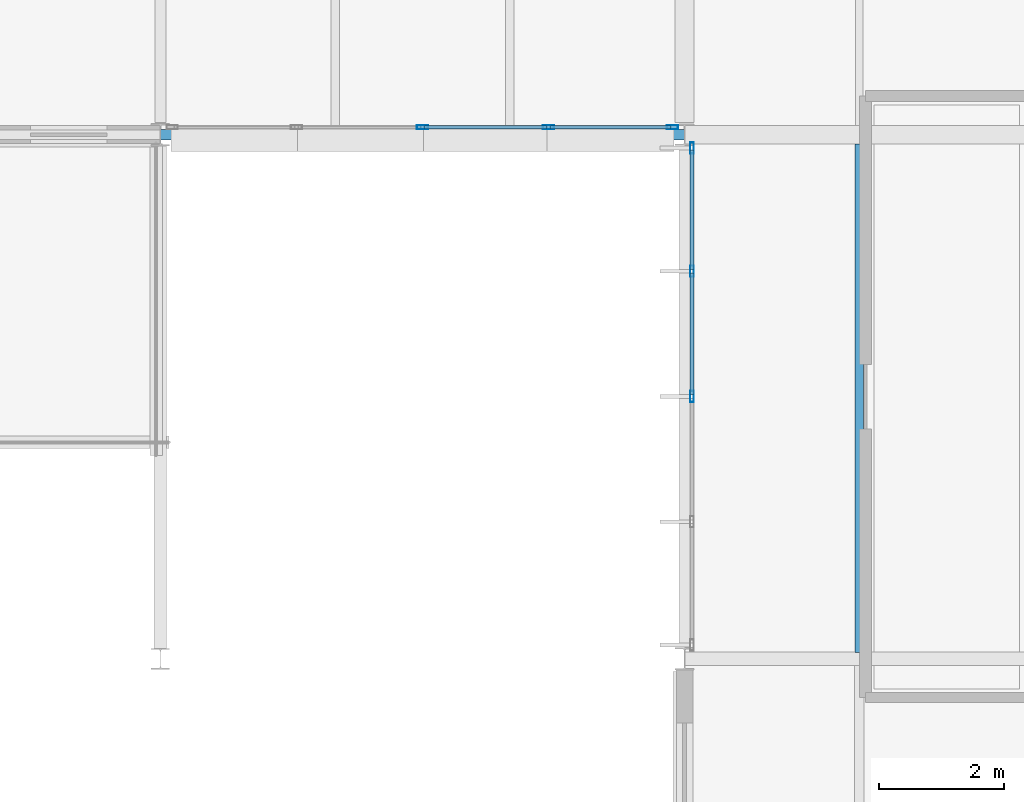
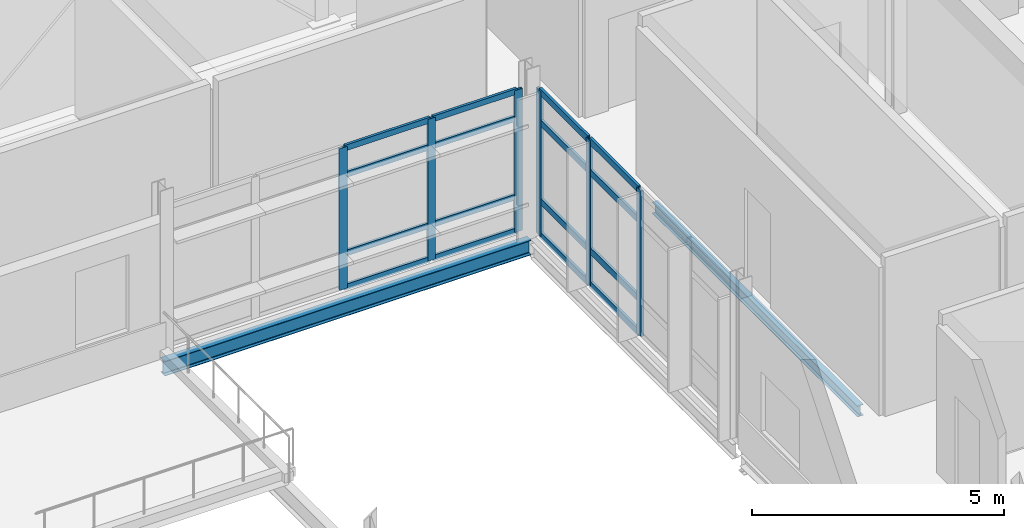
# One storey, part 33 of 57: 22 members, 2 beams, 2 elements without a shape of their own.
"""IFC4 building model written with IfcOpenShell, lengths in metres."""

import ifcopenshell
import ifcopenshell.guid

model = None  # the IFC model being written
_history = None  # IfcOwnerHistory: only IFC2X3 demands one
_inside = {}  # id of a spatial element -> (the spatial element, [elements in it])
_under = {}  # id of a project, library or spatial element -> (it, [spatial elements below it])
_declared = {}  # id of a project -> (the project, [libraries it declares])
_typed = {}  # id of a type object -> (the type object, [elements of that type])
_made_of = {}  # id of a material, layer set ... -> (it, [elements and type objects made of it])


def new_model(schema):
    """Start an empty IFC model of exactly this schema.

    Asked for "IFC4X3", IfcOpenShell would pick the latest addendum, in which some entities
    have other attributes; the version numbers below select the first issue.
    IFC2X3 requires an IfcOwnerHistory on every rooted entity: one is made here for all.
    """
    global model, _history
    if schema == "IFC4X3":
        model = ifcopenshell.file(schema_version=(4, 3, 0, 0))
    else:
        model = ifcopenshell.file(schema=schema)
    _inside.clear()
    _under.clear()
    _declared.clear()
    _typed.clear()
    _made_of.clear()
    _history = None
    if model.schema == "IFC2X3":
        org = make("IfcOrganization", Name="unknown")
        user = make(
            "IfcPersonAndOrganization",
            ThePerson=make("IfcPerson", FamilyName="unknown"),
            TheOrganization=org,
        )
        app = make(
            "IfcApplication",
            ApplicationDeveloper=org,
            Version="unknown",
            ApplicationFullName="unknown",
            ApplicationIdentifier="unknown",
        )
        _history = make(
            "IfcOwnerHistory",
            OwningUser=user,
            OwningApplication=app,
            ChangeAction="ADDED",
            CreationDate=0,
        )
    return model


def make(cls, **values):
    """One entity of the class cls with the attributes given. An attribute that is None is left unset."""
    return model.create_entity(
        cls, **{name: value for name, value in values.items() if value is not None}
    )


def rooted(cls, **values):
    """An entity with a GlobalId (a new one), such as an element, a storey or a relation."""
    return make(cls, GlobalId=ifcopenshell.guid.new(), OwnerHistory=_history, **values)


def si_unit(unit_type, name, prefix=None):
    """IfcSIUnit, for example si_unit("LENGTHUNIT", "METRE", prefix="MILLI")."""
    return make("IfcSIUnit", UnitType=unit_type, Prefix=prefix, Name=name)


def assignment(units):
    """IfcUnitAssignment: the units of a project."""
    return None if units is None else make("IfcUnitAssignment", Units=units)


def point(xyz):
    """IfcCartesianPoint."""
    return None if xyz is None else make("IfcCartesianPoint", Coordinates=xyz)


def direction(xyz):
    """IfcDirection."""
    return None if xyz is None else make("IfcDirection", DirectionRatios=xyz)


def frame(location, z_axis=None, x_axis=None):
    """IfcAxis2Placement3D, a coordinate frame: its origin and axes. An axis left out is left unset."""
    return make(
        "IfcAxis2Placement3D",
        Location=point(location),
        Axis=direction(z_axis),
        RefDirection=direction(x_axis),
    )


def frame_2d(location, x_axis=None):
    """IfcAxis2Placement2D, a coordinate frame in the plane: its origin and x axis."""
    return make(
        "IfcAxis2Placement2D", Location=point(location), RefDirection=direction(x_axis)
    )


def origin():
    """The frame at (0, 0, 0) with its axes left unset."""
    return frame((0.0, 0.0, 0.0))


def origin_2d():
    """The frame at (0, 0) in the plane with its x axis left unset."""
    return frame_2d((0.0, 0.0))


def place(relative_to, where):
    """IfcLocalPlacement: puts the frame where relative to a parent placement (None: the world)."""
    return make(
        "IfcLocalPlacement", PlacementRelTo=relative_to, RelativePlacement=where
    )


def context(
    kind, dimensions, precision=None, world=None, true_north=None, identifier=None
):
    """IfcGeometricRepresentationContext, for example the 3D "Model" context."""
    return make(
        "IfcGeometricRepresentationContext",
        ContextIdentifier=identifier,
        ContextType=kind,
        CoordinateSpaceDimension=dimensions,
        Precision=precision,
        WorldCoordinateSystem=world,
        TrueNorth=true_north,
    )


def subcontext(parent, identifier, kind, view, scale=None):
    """IfcGeometricRepresentationSubContext, for example "Body" below "Model"."""
    return make(
        "IfcGeometricRepresentationSubContext",
        ContextIdentifier=identifier,
        ContextType=kind,
        ParentContext=parent,
        TargetScale=scale,
        TargetView=view,
    )


def project(units=None, contexts=None):
    """IfcProject with its units and contexts."""
    return rooted(
        "IfcProject",
        Name="project",
        RepresentationContexts=contexts,
        UnitsInContext=assignment(units),
    )


def spatial(cls, under=None, at=None, **own):
    """A site, building, storey or space (cls), placed at a placement, below another one or the project."""
    s = rooted(cls, ObjectPlacement=at, **own)
    if under is not None:
        _under.setdefault(under.id(), (under, []))[1].append(s)
    return s


def profile(cls, at=None, kind="AREA", **sizes):
    """A parametric profile (cls). Its sizes go by their IFC names, for example OverallWidth=200.0."""
    return make(cls, ProfileType=kind, Position=at, **sizes)


def hollow_rectangle(**sizes):
    """IfcRectangleHollowProfileDef."""
    return profile("IfcRectangleHollowProfileDef", **sizes)


def i_section(**sizes):
    """IfcIShapeProfileDef."""
    return profile("IfcIShapeProfileDef", **sizes)


def extrude(swept, where, along, depth):
    """IfcExtrudedAreaSolid: the profile swept, set in the frame where, extruded along a direction by depth."""
    return make(
        "IfcExtrudedAreaSolid",
        SweptArea=swept,
        Position=where,
        ExtrudedDirection=direction(along),
        Depth=depth,
    )


def shape(context_of_items, identifier, shape_type, items):
    """IfcShapeRepresentation: the items that make up one representation, for example the "Body"."""
    return make(
        "IfcShapeRepresentation",
        ContextOfItems=context_of_items,
        RepresentationIdentifier=identifier,
        RepresentationType=shape_type,
        Items=items,
    )


def material(Name=None, Category=None):
    """IfcMaterial."""
    return make("IfcMaterial", Name=Name, Category=Category)


def material_profile(
    of_material, cross_section, Name=None, Category=None, Priority=None
):
    """IfcMaterialProfile: a cross section and its material."""
    return make(
        "IfcMaterialProfile",
        Name=Name,
        Material=of_material,
        Profile=cross_section,
        Priority=Priority,
        Category=Category,
    )


def profile_set(profiles, Name=None, composite=None):
    """IfcMaterialProfileSet."""
    return make(
        "IfcMaterialProfileSet",
        Name=Name,
        MaterialProfiles=profiles,
        CompositeProfile=composite,
    )


def made_of(thing, what):
    """Note that an element or type object is made of a material, layer set ...; save() writes the relation."""
    if what is not None:
        _made_of.setdefault(what.id(), (what, []))[1].append(thing)
    return thing


def type_object(cls, material=None, **own):
    """A type object (cls), such as IfcWallType, which elements share."""
    return made_of(rooted(cls, **own), material)


def element(
    cls,
    number,
    at=None,
    inside=None,
    cuts=None,
    type_object=None,
    material=None,
    context=None,
    identifier="Body",
    shape_type=None,
    held_by="IfcProductDefinitionShape",
    body=None,
    shapes=None,
    **own,
):
    """One element of the class cls, such as IfcWall. Its Tag is "e" and its number.

    at: its placement. inside: the storey or other place that contains it. cuts: it is an
    opening in that element (IfcRelVoidsElement). A single representation is given by context,
    identifier, shape_type and body (its items); several are given by shapes. held_by: the class
    of the entity that holds the representations. save() writes the other relations.
    """
    e = rooted(cls, Tag="e%d" % number, ObjectPlacement=at, **own)
    if body is not None:
        shapes = [shape(context, identifier, shape_type, body)]
    if shapes is not None:
        e.Representation = make(held_by, Representations=shapes)
    if inside is not None:
        _inside.setdefault(inside.id(), (inside, []))[1].append(e)
    if cuts is not None:
        rooted(
            "IfcRelVoidsElement", RelatingBuildingElement=cuts, RelatedOpeningElement=e
        )
    if type_object is not None:
        _typed.setdefault(type_object.id(), (type_object, []))[1].append(e)
    return made_of(e, material)


def aggregate(whole, parts):
    """IfcRelAggregates: a whole, such as a stair, and the parts it consists of."""
    return rooted("IfcRelAggregates", RelatingObject=whole, RelatedObjects=parts)


def save(model, path):
    """Write the relations noted so far, then the file.

    IfcRelAggregates (storeys below a building ...), IfcRelContainedInSpatialStructure (elements
    in a storey), IfcRelDefinesByType, IfcRelAssociatesMaterial and IfcRelDeclares: one each for
    every whole, place, type object, material and project.
    """
    for whole, parts in _under.values():
        aggregate(whole, parts)
    for where, things in _inside.values():
        rooted(
            "IfcRelContainedInSpatialStructure",
            RelatedElements=things,
            RelatingStructure=where,
        )
    for kind, things in _typed.values():
        rooted("IfcRelDefinesByType", RelatedObjects=things, RelatingType=kind)
    for what, things in _made_of.values():
        rooted("IfcRelAssociatesMaterial", RelatedObjects=things, RelatingMaterial=what)
    for by, libraries in _declared.values():
        rooted("IfcRelDeclares", RelatingContext=by, RelatedDefinitions=libraries)
    model.write(path)


model = new_model("IFC4")

# Units and contexts
model_context = context("Model", 3, precision=1e-05, world=origin(), true_north=direction((0.0, 1.0)))
body_context = subcontext(model_context, "Body", "Model", "MODEL_VIEW")
ifc_project = project(units=[si_unit("LENGTHUNIT", "METRE"), si_unit("AREAUNIT", "SQUARE_METRE"), si_unit("VOLUMEUNIT", "CUBIC_METRE"), si_unit("PLANEANGLEUNIT", "RADIAN"), si_unit("MASSUNIT", "GRAM", prefix="KILO")], contexts=[model_context])

# Site, building, storey
site_placement = place(None, origin())
site = spatial("IfcSite", under=ifc_project, at=site_placement, CompositionType="ELEMENT")
building_placement = place(site_placement, origin())
building = spatial("IfcBuilding", under=site, at=building_placement, Name="Mersafa Astral City Hall", CompositionType="ELEMENT")
storey_placement = place(building_placement, frame((0.0, 0.0, 26.10009765625)))
storey = spatial("IfcBuildingStorey", under=building, at=storey_placement, Name="L06", CompositionType="ELEMENT", Elevation=26.10009765625)

# Curtain wall, members
ifc_material_1 = material(Name="Anodised bronze aluminium framing", Category="aluminium")
curtain_wall_type_1 = type_object("IfcCurtainWallType", Name="ENV-CW-4", PredefinedType="USERDEFINED", material=ifc_material_1)
curtain_wall_1_placement = place(storey_placement, origin())
curtain_wall_1 = element("IfcCurtainWall", 1, at=curtain_wall_1_placement, inside=storey, type_object=curtain_wall_type_1, Name="L06 Unitised solar curtain wall 249", ObjectType="UNITISED CURTAIN WALL", PredefinedType="USERDEFINED")
ifc_material_profile_1 = material_profile(ifc_material_1, hollow_rectangle(XDim=0.06005859375, YDim=0.179931640625, WallThickness=0.00390625, at=origin_2d()), Name="RHS 60x180x4")
ifc_profile_set_1 = profile_set([ifc_material_profile_1], Name="Anodised bronze aluminium framing")
member_type_1 = type_object("IfcMemberType", Name="ENV-CW-MUL-1", PredefinedType="MULLION", material=ifc_profile_set_1)
member_1_placement = place(storey_placement, frame((138.60009765625, 117.719970703125, -0.002197265625), z_axis=(0.0, 0.0, 1.0), x_axis=(0.0, 1.0, 0.0)))
member_1 = element("IfcMember", 2, at=member_1_placement, type_object=member_type_1, Name="CW-4 mullion 3", PredefinedType="MULLION", context=body_context, shape_type="SweptSolid", body=[
    extrude(hollow_rectangle(XDim=0.06005859375, YDim=0.179931640625, WallThickness=0.00390625, at=origin_2d()), origin(), (0.0, 0.0, 1.0), 3.43408203125),
])
member_2_placement = place(storey_placement, frame((140.618896484375, 117.719970703125, -0.002197265625), z_axis=(0.0, 0.0, 1.0), x_axis=(0.0, 1.0, 0.0)))
member_2 = element("IfcMember", 3, at=member_2_placement, type_object=member_type_1, Name="CW-4 mullion 4", PredefinedType="MULLION", context=body_context, shape_type="SweptSolid", body=[
    extrude(hollow_rectangle(XDim=0.06005859375, YDim=0.179931640625, WallThickness=0.00390625, at=origin_2d()), origin(), (0.0, 0.0, 1.0), 3.43408203125),
])
member_3_placement = place(storey_placement, frame((142.60791015625, 117.719970703125, -0.002197265625), z_axis=(0.0, 0.0, 1.0), x_axis=(0.0, 1.0, 0.0)))
member_3 = element("IfcMember", 4, at=member_3_placement, type_object=member_type_1, Name="CW-4 mullion 5", PredefinedType="MULLION", context=body_context, shape_type="SweptSolid", body=[
    extrude(hollow_rectangle(XDim=0.06005859375, YDim=0.179931640625, WallThickness=0.00390625, at=origin_2d()), origin(), (0.0, 0.0, 1.0), 3.43408203125),
])

curtain_wall_type_2 = type_object("IfcCurtainWallType", Name="ENV-CW-5", PredefinedType="USERDEFINED", material=ifc_material_1)
curtain_wall_2_placement = place(storey_placement, origin())
curtain_wall_2 = element("IfcCurtainWall", 5, at=curtain_wall_2_placement, inside=storey, type_object=curtain_wall_type_2, Name="L06 Unitised solar curtain wall 250", ObjectType="UNITISED CURTAIN WALL", PredefinedType="USERDEFINED")
member_4_placement = place(storey_placement, frame((142.919921875, 117.387939453125, -0.002197265625), z_axis=(0.0, 0.0, 1.0), x_axis=(1.0, 0.0, 0.0)))
member_4 = element("IfcMember", 6, at=member_4_placement, type_object=member_type_1, Name="CW-5 mullion 1", PredefinedType="MULLION", context=body_context, shape_type="SweptSolid", body=[
    extrude(hollow_rectangle(XDim=0.06005859375, YDim=0.179931640625, WallThickness=0.00390625, at=origin_2d()), origin(), (0.0, 0.0, 1.0), 3.524169921875),
])
member_5_placement = place(storey_placement, frame((142.919921875, 115.41162109375, -0.002197265625), z_axis=(0.0, 0.0, 1.0), x_axis=(1.0, 0.0, 0.0)))
member_5 = element("IfcMember", 7, at=member_5_placement, type_object=member_type_1, Name="CW-5 mullion 2", PredefinedType="MULLION", context=body_context, shape_type="SweptSolid", body=[
    extrude(hollow_rectangle(XDim=0.06005859375, YDim=0.179931640625, WallThickness=0.00390625, at=origin_2d()), origin(), (0.0, 0.0, 1.0), 3.524169921875),
])
member_6_placement = place(storey_placement, frame((142.919921875, 113.405029296875, -0.002197265625), z_axis=(0.0, 0.0, 1.0), x_axis=(1.0, 0.0, 0.0)))
member_6 = element("IfcMember", 8, at=member_6_placement, type_object=member_type_1, Name="CW-5 mullion 3", PredefinedType="MULLION", context=body_context, shape_type="SweptSolid", body=[
    extrude(hollow_rectangle(XDim=0.06005859375, YDim=0.179931640625, WallThickness=0.00390625, at=origin_2d()), origin(), (0.0, 0.0, 1.0), 3.524169921875),
])

# Member
ifc_material_profile_2 = material_profile(ifc_material_1, hollow_rectangle(XDim=0.06005859375, YDim=0.139892578125, WallThickness=0.00390625, at=origin_2d()), Name="RHS 60x140x4")
ifc_profile_set_2 = profile_set([ifc_material_profile_2], Name="Anodised bronze aluminium framing")
member_type_2 = type_object("IfcMemberType", Name="ENV-CW-TRN-1", PredefinedType="USERDEFINED", material=ifc_profile_set_2)
member_7_placement = place(storey_placement, frame((138.6298828125, 117.719970703125, 0.02783203125), z_axis=(1.0, 0.0, 0.0), x_axis=(0.0, 1.0, 0.0)))
member_7 = element("IfcMember", 9, at=member_7_placement, type_object=member_type_2, Name="CW-4 transom 3.1", ObjectType="TRANSOM", PredefinedType="USERDEFINED", context=body_context, shape_type="SweptSolid", body=[
    extrude(hollow_rectangle(XDim=0.06005859375, YDim=0.139892578125, WallThickness=0.00390625, at=origin_2d()), origin(), (0.0, 0.0, 1.0), 1.959228515625),
])

member_8_placement = place(storey_placement, frame((138.6298828125, 117.719970703125, 0.849853515625), z_axis=(1.0, 0.0, 0.0), x_axis=(0.0, 1.0, 0.0)))
member_8 = element("IfcMember", 10, at=member_8_placement, type_object=member_type_2, Name="CW-4 transom 3.2", ObjectType="TRANSOM", PredefinedType="USERDEFINED", context=body_context, shape_type="SweptSolid", body=[
    extrude(hollow_rectangle(XDim=0.06005859375, YDim=0.139892578125, WallThickness=0.00390625, at=origin_2d()), origin(), (0.0, 0.0, 1.0), 1.959228515625),
])

member_9_placement = place(storey_placement, frame((138.6298828125, 117.719970703125, 2.75), z_axis=(1.0, 0.0, 0.0), x_axis=(0.0, 1.0, 0.0)))
member_9 = element("IfcMember", 11, at=member_9_placement, type_object=member_type_2, Name="CW-4 transom 3.3", ObjectType="TRANSOM", PredefinedType="USERDEFINED", context=body_context, shape_type="SweptSolid", body=[
    extrude(hollow_rectangle(XDim=0.06005859375, YDim=0.139892578125, WallThickness=0.00390625, at=origin_2d()), origin(), (0.0, 0.0, 1.0), 1.959228515625),
])

member_10_placement = place(storey_placement, frame((138.6298828125, 117.719970703125, 3.40185546875), z_axis=(1.0, 0.0, 0.0), x_axis=(0.0, 1.0, 0.0)))
member_10 = element("IfcMember", 12, at=member_10_placement, type_object=member_type_2, Name="CW-4 transom 3.4", ObjectType="TRANSOM", PredefinedType="USERDEFINED", context=body_context, shape_type="SweptSolid", body=[
    extrude(hollow_rectangle(XDim=0.06005859375, YDim=0.139892578125, WallThickness=0.00390625, at=origin_2d()), origin(), (0.0, 0.0, 1.0), 1.959228515625),
])

member_11_placement = place(storey_placement, frame((140.64892578125, 117.719970703125, 0.02783203125), z_axis=(1.0, 0.0, 0.0), x_axis=(0.0, 1.0, 0.0)))
member_11 = element("IfcMember", 13, at=member_11_placement, type_object=member_type_2, Name="CW-4 transom 4.1", ObjectType="TRANSOM", PredefinedType="USERDEFINED", context=body_context, shape_type="SweptSolid", body=[
    extrude(hollow_rectangle(XDim=0.06005859375, YDim=0.139892578125, WallThickness=0.00390625, at=origin_2d()), origin(), (0.0, 0.0, 1.0), 1.928955078125),
])

member_12_placement = place(storey_placement, frame((140.64892578125, 117.719970703125, 0.849853515625), z_axis=(1.0, 0.0, 0.0), x_axis=(0.0, 1.0, 0.0)))
member_12 = element("IfcMember", 14, at=member_12_placement, type_object=member_type_2, Name="CW-4 transom 4.2", ObjectType="TRANSOM", PredefinedType="USERDEFINED", context=body_context, shape_type="SweptSolid", body=[
    extrude(hollow_rectangle(XDim=0.06005859375, YDim=0.139892578125, WallThickness=0.00390625, at=origin_2d()), origin(), (0.0, 0.0, 1.0), 1.928955078125),
])

member_13_placement = place(storey_placement, frame((140.64892578125, 117.719970703125, 2.75), z_axis=(1.0, 0.0, 0.0), x_axis=(0.0, 1.0, 0.0)))
member_13 = element("IfcMember", 15, at=member_13_placement, type_object=member_type_2, Name="CW-4 transom 4.3", ObjectType="TRANSOM", PredefinedType="USERDEFINED", context=body_context, shape_type="SweptSolid", body=[
    extrude(hollow_rectangle(XDim=0.06005859375, YDim=0.139892578125, WallThickness=0.00390625, at=origin_2d()), origin(), (0.0, 0.0, 1.0), 1.928955078125),
])

member_14_placement = place(storey_placement, frame((140.64892578125, 117.719970703125, 3.40185546875), z_axis=(1.0, 0.0, 0.0), x_axis=(0.0, 1.0, 0.0)))
member_14 = element("IfcMember", 16, at=member_14_placement, type_object=member_type_2, Name="CW-4 transom 4.4", ObjectType="TRANSOM", PredefinedType="USERDEFINED", context=body_context, shape_type="SweptSolid", body=[
    extrude(hollow_rectangle(XDim=0.06005859375, YDim=0.139892578125, WallThickness=0.00390625, at=origin_2d()), origin(), (0.0, 0.0, 1.0), 1.928955078125),
])

aggregate(curtain_wall_1, [member_1, member_2, member_3, member_7, member_8, member_9, member_10, member_11, member_12, member_13, member_14])

ifc_material_profile_3 = material_profile(ifc_material_1, hollow_rectangle(XDim=0.06005859375, YDim=0.159912109375, WallThickness=0.00390625, at=origin_2d()), Name="RHS 60x160x4")
ifc_profile_set_3 = profile_set([ifc_material_profile_3], Name="Anodised bronze aluminium framing")
member_type_3 = type_object("IfcMemberType", Name="ENV-CW-TRN-2", PredefinedType="USERDEFINED", material=ifc_profile_set_3)
member_15_placement = place(storey_placement, frame((142.919921875, 117.35791015625, 0.02783203125), z_axis=(0.0, -1.0, 0.0), x_axis=(1.0, 0.0, 0.0)))
member_15 = element("IfcMember", 17, at=member_15_placement, type_object=member_type_3, Name="CW-5 transom 1.1", ObjectType="TRANSOM", PredefinedType="USERDEFINED", context=body_context, shape_type="SweptSolid", body=[
    extrude(hollow_rectangle(XDim=0.06005859375, YDim=0.159912109375, WallThickness=0.00390625, at=origin_2d()), origin(), (0.0, 0.0, 1.0), 1.91650390625),
])

member_16_placement = place(storey_placement, frame((142.919921875, 117.35791015625, 0.849853515625), z_axis=(0.0, -1.0, 0.0), x_axis=(1.0, 0.0, 0.0)))
member_16 = element("IfcMember", 18, at=member_16_placement, type_object=member_type_3, Name="CW-5 transom 1.2", ObjectType="TRANSOM", PredefinedType="USERDEFINED", context=body_context, shape_type="SweptSolid", body=[
    extrude(hollow_rectangle(XDim=0.06005859375, YDim=0.159912109375, WallThickness=0.00390625, at=origin_2d()), origin(), (0.0, 0.0, 1.0), 1.91650390625),
])

member_17_placement = place(storey_placement, frame((142.919921875, 117.35791015625, 2.75), z_axis=(0.0, -1.0, 0.0), x_axis=(1.0, 0.0, 0.0)))
member_17 = element("IfcMember", 19, at=member_17_placement, type_object=member_type_3, Name="CW-5 transom 1.3", ObjectType="TRANSOM", PredefinedType="USERDEFINED", context=body_context, shape_type="SweptSolid", body=[
    extrude(hollow_rectangle(XDim=0.06005859375, YDim=0.159912109375, WallThickness=0.00390625, at=origin_2d()), origin(), (0.0, 0.0, 1.0), 1.91650390625),
])

member_18_placement = place(storey_placement, frame((142.919921875, 117.35791015625, 3.491943359375), z_axis=(0.0, -1.0, 0.0), x_axis=(1.0, 0.0, 0.0)))
member_18 = element("IfcMember", 20, at=member_18_placement, type_object=member_type_3, Name="CW-5 transom 1.4", ObjectType="TRANSOM", PredefinedType="USERDEFINED", context=body_context, shape_type="SweptSolid", body=[
    extrude(hollow_rectangle(XDim=0.06005859375, YDim=0.159912109375, WallThickness=0.00390625, at=origin_2d()), origin(), (0.0, 0.0, 1.0), 1.91650390625),
])

member_19_placement = place(storey_placement, frame((142.919921875, 115.381591796875, 0.02783203125), z_axis=(0.0, -1.0, 0.0), x_axis=(1.0, 0.0, 0.0)))
member_19 = element("IfcMember", 21, at=member_19_placement, type_object=member_type_3, Name="CW-5 transom 2.1", ObjectType="TRANSOM", PredefinedType="USERDEFINED", context=body_context, shape_type="SweptSolid", body=[
    extrude(hollow_rectangle(XDim=0.06005859375, YDim=0.159912109375, WallThickness=0.00390625, at=origin_2d()), origin(), (0.0, 0.0, 1.0), 1.946533203125),
])

member_20_placement = place(storey_placement, frame((142.919921875, 115.381591796875, 0.849853515625), z_axis=(0.0, -1.0, 0.0), x_axis=(1.0, 0.0, 0.0)))
member_20 = element("IfcMember", 22, at=member_20_placement, type_object=member_type_3, Name="CW-5 transom 2.2", ObjectType="TRANSOM", PredefinedType="USERDEFINED", context=body_context, shape_type="SweptSolid", body=[
    extrude(hollow_rectangle(XDim=0.06005859375, YDim=0.159912109375, WallThickness=0.00390625, at=origin_2d()), origin(), (0.0, 0.0, 1.0), 1.946533203125),
])

member_21_placement = place(storey_placement, frame((142.919921875, 115.381591796875, 2.75), z_axis=(0.0, -1.0, 0.0), x_axis=(1.0, 0.0, 0.0)))
member_21 = element("IfcMember", 23, at=member_21_placement, type_object=member_type_3, Name="CW-5 transom 2.3", ObjectType="TRANSOM", PredefinedType="USERDEFINED", context=body_context, shape_type="SweptSolid", body=[
    extrude(hollow_rectangle(XDim=0.06005859375, YDim=0.159912109375, WallThickness=0.00390625, at=origin_2d()), origin(), (0.0, 0.0, 1.0), 1.946533203125),
])

member_22_placement = place(storey_placement, frame((142.919921875, 115.381591796875, 3.491943359375), z_axis=(0.0, -1.0, 0.0), x_axis=(1.0, 0.0, 0.0)))
member_22 = element("IfcMember", 24, at=member_22_placement, type_object=member_type_3, Name="CW-5 transom 2.4", ObjectType="TRANSOM", PredefinedType="USERDEFINED", context=body_context, shape_type="SweptSolid", body=[
    extrude(hollow_rectangle(XDim=0.06005859375, YDim=0.159912109375, WallThickness=0.00390625, at=origin_2d()), origin(), (0.0, 0.0, 1.0), 1.946533203125),
])

aggregate(curtain_wall_2, [member_4, member_5, member_6, member_15, member_16, member_17, member_18, member_19, member_20, member_21, member_22])

# Beams
ifc_material_2 = material(Name="Steel S355", Category="steel")
ifc_material_profile_4 = material_profile(ifc_material_2, i_section(OverallWidth=0.135009765625, OverallDepth=0.27001953125, WebThickness=0.006591796875, FlangeThickness=0.01025390625, FilletRadius=0.014892578125, at=origin_2d()), Name="IPE 270")
ifc_profile_set_4 = profile_set([ifc_material_profile_4], Name="Steel S355")
beam_type_1 = type_object("IfcBeamType", Name="STR-BM-JOIST-IPE270", PredefinedType="JOIST", material=ifc_profile_set_4)
beam_1_placement = place(storey_placement, frame((145.60009765625, 109.304931640625, -0.31005859375), z_axis=(0.0, 1.0, 0.0), x_axis=(-1.0, 0.0, 0.0)))
element("IfcBeam", 25, at=beam_1_placement, inside=storey, type_object=beam_type_1, Name="L06 Composite secondary floor joist 868", PredefinedType="JOIST", context=body_context, shape_type="SweptSolid", body=[
    extrude(i_section(OverallWidth=0.135009765625, OverallDepth=0.27001953125, WebThickness=0.006591796875, FlangeThickness=0.01025390625, FilletRadius=0.014892578125, at=origin_2d()), origin(), (0.0, 0.0, 1.0), 8.150146484375),
])
ifc_material_profile_5 = material_profile(ifc_material_2, i_section(OverallWidth=0.169921875, OverallDepth=0.360107421875, WebThickness=0.008056640625, FlangeThickness=0.0126953125, FilletRadius=0.01806640625, at=origin_2d()), Name="IPE 360")
ifc_profile_set_5 = profile_set([ifc_material_profile_5], Name="Steel S355")
beam_type_2 = type_object("IfcBeamType", Name="STR-BM-SPANDREL-IPE360", PredefinedType="SPANDREL", material=ifc_profile_set_5)
beam_2_placement = place(storey_placement, frame((134.403076171875, 117.60009765625, -0.35498046875), z_axis=(1.0, 0.0, 0.0), x_axis=(0.0, 1.0, 0.0)))
element("IfcBeam", 26, at=beam_2_placement, inside=storey, type_object=beam_type_2, Name="L06 Primary girder X 16-14", PredefinedType="SPANDREL", context=body_context, shape_type="SweptSolid", body=[
    extrude(i_section(OverallWidth=0.169921875, OverallDepth=0.360107421875, WebThickness=0.008056640625, FlangeThickness=0.0126953125, FilletRadius=0.01806640625, at=origin_2d()), origin(), (0.0, 0.0, 1.0), 8.39404296875),
])

save(model, "model.ifc")
